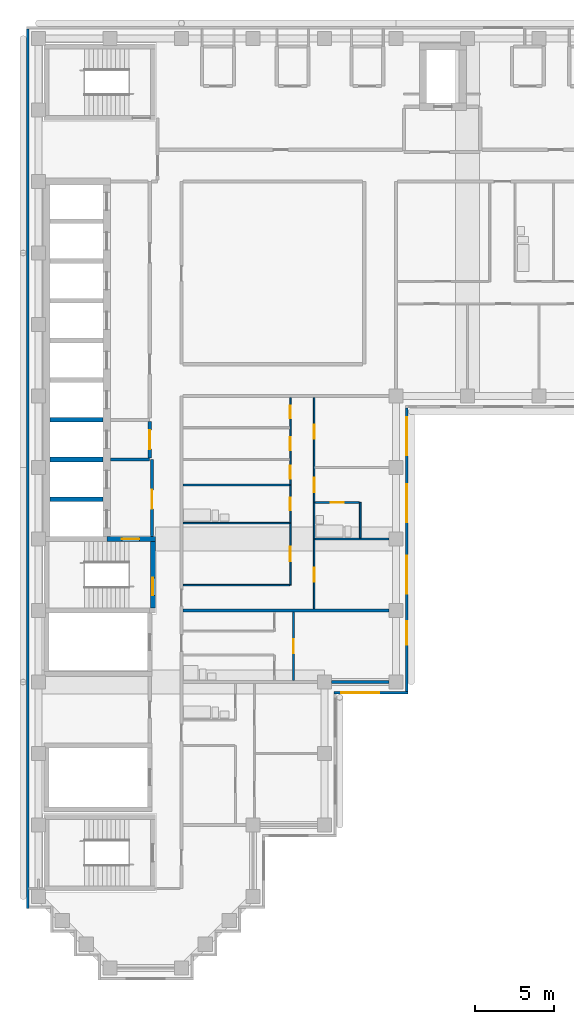
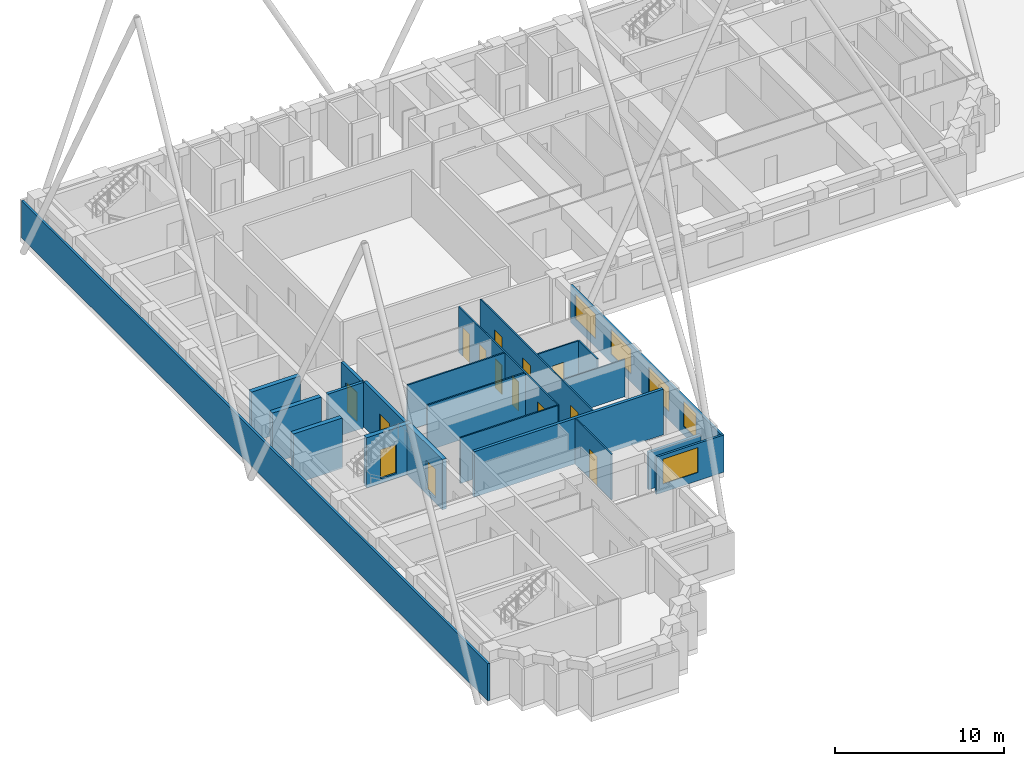
# One storey, part 4 of 11: 22 walls, 14 doors, 5 windows, 19 openings.
"""IFC4 building model written with IfcOpenShell, lengths in metres."""

import ifcopenshell
import ifcopenshell.guid

model = None  # the IFC model being written
_history = None  # IfcOwnerHistory: only IFC2X3 demands one
_inside = {}  # id of a spatial element -> (the spatial element, [elements in it])
_under = {}  # id of a project, library or spatial element -> (it, [spatial elements below it])
_declared = {}  # id of a project -> (the project, [libraries it declares])
_typed = {}  # id of a type object -> (the type object, [elements of that type])
_made_of = {}  # id of a material, layer set ... -> (it, [elements and type objects made of it])


def new_model(schema):
    """Start an empty IFC model of exactly this schema.

    Asked for "IFC4X3", IfcOpenShell would pick the latest addendum, in which some entities
    have other attributes; the version numbers below select the first issue.
    IFC2X3 requires an IfcOwnerHistory on every rooted entity: one is made here for all.
    """
    global model, _history
    if schema == "IFC4X3":
        model = ifcopenshell.file(schema_version=(4, 3, 0, 0))
    else:
        model = ifcopenshell.file(schema=schema)
    _inside.clear()
    _under.clear()
    _declared.clear()
    _typed.clear()
    _made_of.clear()
    _history = None
    if model.schema == "IFC2X3":
        org = make("IfcOrganization", Name="unknown")
        user = make(
            "IfcPersonAndOrganization",
            ThePerson=make("IfcPerson", FamilyName="unknown"),
            TheOrganization=org,
        )
        app = make(
            "IfcApplication",
            ApplicationDeveloper=org,
            Version="unknown",
            ApplicationFullName="unknown",
            ApplicationIdentifier="unknown",
        )
        _history = make(
            "IfcOwnerHistory",
            OwningUser=user,
            OwningApplication=app,
            ChangeAction="ADDED",
            CreationDate=0,
        )
    return model


def make(cls, **values):
    """One entity of the class cls with the attributes given. An attribute that is None is left unset."""
    return model.create_entity(
        cls, **{name: value for name, value in values.items() if value is not None}
    )


def rooted(cls, **values):
    """An entity with a GlobalId (a new one), such as an element, a storey or a relation."""
    return make(cls, GlobalId=ifcopenshell.guid.new(), OwnerHistory=_history, **values)


def si_unit(unit_type, name, prefix=None):
    """IfcSIUnit, for example si_unit("LENGTHUNIT", "METRE", prefix="MILLI")."""
    return make("IfcSIUnit", UnitType=unit_type, Prefix=prefix, Name=name)


def assignment(units):
    """IfcUnitAssignment: the units of a project."""
    return None if units is None else make("IfcUnitAssignment", Units=units)


def point(xyz):
    """IfcCartesianPoint."""
    return None if xyz is None else make("IfcCartesianPoint", Coordinates=xyz)


def direction(xyz):
    """IfcDirection."""
    return None if xyz is None else make("IfcDirection", DirectionRatios=xyz)


def frame(location, z_axis=None, x_axis=None):
    """IfcAxis2Placement3D, a coordinate frame: its origin and axes. An axis left out is left unset."""
    return make(
        "IfcAxis2Placement3D",
        Location=point(location),
        Axis=direction(z_axis),
        RefDirection=direction(x_axis),
    )


def frame_2d(location, x_axis=None):
    """IfcAxis2Placement2D, a coordinate frame in the plane: its origin and x axis."""
    return make(
        "IfcAxis2Placement2D", Location=point(location), RefDirection=direction(x_axis)
    )


def origin():
    """The frame at (0, 0, 0) with its axes left unset."""
    return frame((0.0, 0.0, 0.0))


def place(relative_to, where):
    """IfcLocalPlacement: puts the frame where relative to a parent placement (None: the world)."""
    return make(
        "IfcLocalPlacement", PlacementRelTo=relative_to, RelativePlacement=where
    )


def context(
    kind, dimensions, precision=None, world=None, true_north=None, identifier=None
):
    """IfcGeometricRepresentationContext, for example the 3D "Model" context."""
    return make(
        "IfcGeometricRepresentationContext",
        ContextIdentifier=identifier,
        ContextType=kind,
        CoordinateSpaceDimension=dimensions,
        Precision=precision,
        WorldCoordinateSystem=world,
        TrueNorth=true_north,
    )


def subcontext(parent, identifier, kind, view, scale=None):
    """IfcGeometricRepresentationSubContext, for example "Body" below "Model"."""
    return make(
        "IfcGeometricRepresentationSubContext",
        ContextIdentifier=identifier,
        ContextType=kind,
        ParentContext=parent,
        TargetScale=scale,
        TargetView=view,
    )


def project(units=None, contexts=None):
    """IfcProject with its units and contexts."""
    return rooted(
        "IfcProject",
        Name="project",
        RepresentationContexts=contexts,
        UnitsInContext=assignment(units),
    )


def spatial(cls, under=None, at=None, **own):
    """A site, building, storey or space (cls), placed at a placement, below another one or the project."""
    s = rooted(cls, ObjectPlacement=at, **own)
    if under is not None:
        _under.setdefault(under.id(), (under, []))[1].append(s)
    return s


def profile(cls, at=None, kind="AREA", **sizes):
    """A parametric profile (cls). Its sizes go by their IFC names, for example OverallWidth=200.0."""
    return make(cls, ProfileType=kind, Position=at, **sizes)


def rectangle(**sizes):
    """IfcRectangleProfileDef."""
    return profile("IfcRectangleProfileDef", **sizes)


def extrude(swept, where, along, depth):
    """IfcExtrudedAreaSolid: the profile swept, set in the frame where, extruded along a direction by depth."""
    return make(
        "IfcExtrudedAreaSolid",
        SweptArea=swept,
        Position=where,
        ExtrudedDirection=direction(along),
        Depth=depth,
    )


def shape(context_of_items, identifier, shape_type, items):
    """IfcShapeRepresentation: the items that make up one representation, for example the "Body"."""
    return make(
        "IfcShapeRepresentation",
        ContextOfItems=context_of_items,
        RepresentationIdentifier=identifier,
        RepresentationType=shape_type,
        Items=items,
    )


def material(Name=None, Category=None):
    """IfcMaterial."""
    return make("IfcMaterial", Name=Name, Category=Category)


def layer(
    of_material, thickness, ventilated=None, Name=None, Category=None, Priority=None
):
    """IfcMaterialLayer: one layer of a wall or slab, of a material (None: an air gap)."""
    return make(
        "IfcMaterialLayer",
        Material=of_material,
        LayerThickness=thickness,
        IsVentilated=ventilated,
        Name=Name,
        Category=Category,
        Priority=Priority,
    )


def layer_set(layers, Name=None):
    """IfcMaterialLayerSet."""
    return make("IfcMaterialLayerSet", MaterialLayers=layers, LayerSetName=Name)


def made_of(thing, what):
    """Note that an element or type object is made of a material, layer set ...; save() writes the relation."""
    if what is not None:
        _made_of.setdefault(what.id(), (what, []))[1].append(thing)
    return thing


def type_object(cls, material=None, **own):
    """A type object (cls), such as IfcWallType, which elements share."""
    return made_of(rooted(cls, **own), material)


def element(
    cls,
    number,
    at=None,
    inside=None,
    cuts=None,
    type_object=None,
    material=None,
    context=None,
    identifier="Body",
    shape_type=None,
    held_by="IfcProductDefinitionShape",
    body=None,
    shapes=None,
    **own,
):
    """One element of the class cls, such as IfcWall. Its Tag is "e" and its number.

    at: its placement. inside: the storey or other place that contains it. cuts: it is an
    opening in that element (IfcRelVoidsElement). A single representation is given by context,
    identifier, shape_type and body (its items); several are given by shapes. held_by: the class
    of the entity that holds the representations. save() writes the other relations.
    """
    e = rooted(cls, Tag="e%d" % number, ObjectPlacement=at, **own)
    if body is not None:
        shapes = [shape(context, identifier, shape_type, body)]
    if shapes is not None:
        e.Representation = make(held_by, Representations=shapes)
    if inside is not None:
        _inside.setdefault(inside.id(), (inside, []))[1].append(e)
    if cuts is not None:
        rooted(
            "IfcRelVoidsElement", RelatingBuildingElement=cuts, RelatedOpeningElement=e
        )
    if type_object is not None:
        _typed.setdefault(type_object.id(), (type_object, []))[1].append(e)
    return made_of(e, material)


def fill(opening, filler):
    """IfcRelFillsElement: the door or window that sits in an opening."""
    return rooted(
        "IfcRelFillsElement",
        RelatingOpeningElement=opening,
        RelatedBuildingElement=filler,
    )


def aggregate(whole, parts):
    """IfcRelAggregates: a whole, such as a stair, and the parts it consists of."""
    return rooted("IfcRelAggregates", RelatingObject=whole, RelatedObjects=parts)


def save(model, path):
    """Write the relations noted so far, then the file.

    IfcRelAggregates (storeys below a building ...), IfcRelContainedInSpatialStructure (elements
    in a storey), IfcRelDefinesByType, IfcRelAssociatesMaterial and IfcRelDeclares: one each for
    every whole, place, type object, material and project.
    """
    for whole, parts in _under.values():
        aggregate(whole, parts)
    for where, things in _inside.values():
        rooted(
            "IfcRelContainedInSpatialStructure",
            RelatedElements=things,
            RelatingStructure=where,
        )
    for kind, things in _typed.values():
        rooted("IfcRelDefinesByType", RelatedObjects=things, RelatingType=kind)
    for what, things in _made_of.values():
        rooted("IfcRelAssociatesMaterial", RelatedObjects=things, RelatingMaterial=what)
    for by, libraries in _declared.values():
        rooted("IfcRelDeclares", RelatingContext=by, RelatedDefinitions=libraries)
    model.write(path)


model = new_model("IFC4")

# Units and contexts
model_context = context("Model", 3, precision=1e-05, world=origin(), true_north=direction((0.0, 1.0)))
body_context = subcontext(model_context, "Body", "Model", "MODEL_VIEW")
ifc_project = project(units=[si_unit("LENGTHUNIT", "METRE"), si_unit("AREAUNIT", "SQUARE_METRE"), si_unit("VOLUMEUNIT", "CUBIC_METRE"), si_unit("PLANEANGLEUNIT", "RADIAN"), si_unit("MASSUNIT", "GRAM", prefix="KILO")], contexts=[model_context])

# Site, building, storey
site_placement = place(None, origin())
site = spatial("IfcSite", under=ifc_project, at=site_placement, CompositionType="ELEMENT")
building_placement = place(site_placement, origin())
building = spatial("IfcBuilding", under=site, at=building_placement, Name="Firuza Court", CompositionType="ELEMENT")
storey_placement = place(building_placement, frame((0.0, 0.0, 186.199951171875)))
storey = spatial("IfcBuildingStorey", under=building, at=storey_placement, Name="L47", CompositionType="ELEMENT", Elevation=186.199951171875)

# Walls
ifc_material_1 = material(Name="Moisture-resistant gypsum board partition")
ifc_layer_1 = layer(ifc_material_1, 0.10009765625)
ifc_layer_set_1 = layer_set([ifc_layer_1], Name="Moisture-resistant gypsum board partition")
wall_type_1 = type_object("IfcWallType", Name="Bathroom partition 100", PredefinedType="PLUMBINGWALL", material=ifc_layer_set_1)
wall_1_placement = place(storey_placement, frame((20.25, 27.050048828125, 0.0), z_axis=(0.0, 0.0, 1.0), x_axis=(0.0, 1.0, 0.0)))
element("IfcWall", 1, at=wall_1_placement, inside=storey, type_object=wall_type_1, Name="Bathroom partition 100 L47", PredefinedType="PLUMBINGWALL", context=body_context, shape_type="SweptSolid", body=[
    extrude(rectangle(XDim=2.25, YDim=0.10009765625, at=frame_2d((1.125, 0.0))), origin(), (0.0, 0.0, 1.0), 3.300048828125),
])
wall_2_placement = place(storey_placement, frame((9.10009765625, 28.0, 0.0), z_axis=(0.0, 0.0, 1.0), x_axis=(1.0, 0.0, 0.0)))
element("IfcWall", 2, at=wall_2_placement, inside=storey, type_object=wall_type_1, Name="Bathroom partition 100 L47", PredefinedType="PLUMBINGWALL", context=body_context, shape_type="SweptSolid", body=[
    extrude(rectangle(XDim=6.699951171875, YDim=0.10009765625, at=frame_2d((3.35009765625, 0.0))), origin(), (0.0, 0.0, 1.0), 3.300048828125),
])

# Wall, opening, door
wall_3_placement = place(storey_placement, frame((17.39990234375, 29.300048828125, 0.0), z_axis=(0.0, 0.0, 1.0), x_axis=(1.0, 0.0, 0.0)))
wall_3 = element("IfcWall", 3, at=wall_3_placement, inside=storey, type_object=wall_type_1, Name="Bathroom partition 100 L47", PredefinedType="PLUMBINGWALL", context=body_context, shape_type="SweptSolid", body=[
    extrude(rectangle(XDim=2.800048828125, YDim=0.10009765625, at=frame_2d((1.39990234375, 0.0))), origin(), (0.0, 0.0, 1.0), 3.300048828125),
])
opening_1_placement = place(wall_3_placement, frame((1.0, 0.0, 0.0)))
opening_1 = element("IfcOpeningElement", 4, at=opening_1_placement, cuts=wall_3, Name="Opening D47036", PredefinedType="OPENING", context=body_context, shape_type="SweptSolid", body=[
    extrude(rectangle(XDim=0.800048828125, YDim=2.10009765625, at=frame_2d((0.39990234375, 1.050048828125))), frame((0.0, 0.06201171875, 0.0), z_axis=(0.0, -1.0, 0.0), x_axis=(1.0, 0.0, 0.0)), (0.0, 0.0, 1.0), 0.1240234375),
])
ifc_material_2 = material(Name="Timber door leaf in hardwood frame", Category="wood")
door_type_1 = type_object("IfcDoorType", Name="Bathroom door 800", OperationType="SINGLE_SWING_LEFT", PredefinedType="DOOR", material=ifc_material_2)
door_1_placement = place(opening_1_placement, frame((0.800048828125, 0.0, 0.0), z_axis=(0.0, 0.0, 1.0), x_axis=(-1.0, 0.0, 0.0)))
door_1 = element("IfcDoor", 5, at=door_1_placement, inside=storey, type_object=door_type_1, Name="En-suite door", OperationType="SINGLE_SWING_RIGHT", OverallHeight=2.10009765625, OverallWidth=0.800048828125, PredefinedType="DOOR", context=body_context, shape_type="SweptSolid", body=[
    extrude(rectangle(XDim=0.800048828125, YDim=2.10009765625, at=frame_2d((0.39990234375, 1.050048828125))), frame((0.0, 0.02490234375, 0.0), z_axis=(0.0, -1.0, 0.0), x_axis=(1.0, 0.0, 0.0)), (0.0, 0.0, 1.0), 0.050048828125),
])
fill(opening_1, door_1)

# Walls
wall_4_placement = place(storey_placement, frame((9.10009765625, 30.39990234375, 0.0), z_axis=(0.0, 0.0, 1.0), x_axis=(1.0, 0.0, 0.0)))
element("IfcWall", 6, at=wall_4_placement, inside=storey, type_object=wall_type_1, Name="Bathroom partition 100 L47", PredefinedType="PLUMBINGWALL", context=body_context, shape_type="SweptSolid", body=[
    extrude(rectangle(XDim=6.699951171875, YDim=0.10009765625, at=frame_2d((3.35009765625, 0.0))), origin(), (0.0, 0.0, 1.0), 3.300048828125),
])
ifc_material_3 = material(Name="Concrete C50/60", Category="concrete")
ifc_layer_2 = layer(ifc_material_3, 0.300048828125)
ifc_layer_set_2 = layer_set([ifc_layer_2], Name="Concrete C50/60")
wall_type_2 = type_object("IfcWallType", Name="Core wall 300 C50/60", PredefinedType="SHEAR", material=ifc_layer_set_2)
for number, where, z_axis, x_axis, name in (
    (7, (0.72509765625, 29.5, -0.349853515625), (0.0, 0.0, 1.0), (1.0, 0.0, 0.0), "Core wall lift shaft L47"),
    (8, (0.72509765625, 32.0, -0.349853515625), (0.0, 0.0, 1.0), (1.0, 0.0, 0.0), "Core wall lift shaft L47"),
    (9, (0.72509765625, 34.5, -0.349853515625), (0.0, 0.0, 1.0), (1.0, 0.0, 0.0), "Core wall lift shaft L47"),
):
    element("IfcWall", number, at=place(storey_placement, frame(where, z_axis=z_axis, x_axis=x_axis)), inside=storey, type_object=wall_type_2, Name=name, PredefinedType="SHEAR", context=body_context, shape_type="SweptSolid", body=[
        extrude(rectangle(XDim=3.349853515625, YDim=0.300048828125, at=frame_2d((1.6748046875, 0.0))), origin(), (0.0, 0.0, 1.0), 3.64990234375),
    ])

# Wall, opening, door
wall_5_placement = place(storey_placement, frame((4.300048828125, 27.0, -0.349853515625), z_axis=(0.0, 0.0, 1.0), x_axis=(1.0, 0.0, 0.0)))
wall_5 = element("IfcWall", 10, at=wall_5_placement, inside=storey, type_object=wall_type_2, Name="Core wall stair L47", PredefinedType="SHEAR", context=body_context, shape_type="SweptSolid", body=[
    extrude(rectangle(XDim=3.050048828125, YDim=0.300048828125, at=frame_2d((1.52490234375, 0.0))), origin(), (0.0, 0.0, 1.0), 3.64990234375),
])
opening_2_placement = place(wall_5_placement, frame((0.949951171875, 0.0, 0.35009765625)))
opening_2 = element("IfcOpeningElement", 11, at=opening_2_placement, cuts=wall_5, Name="Opening D47012", PredefinedType="OPENING", context=body_context, shape_type="SweptSolid", body=[
    extrude(rectangle(XDim=1.10009765625, YDim=2.10009765625, at=frame_2d((0.550048828125, 1.050048828125))), frame((0.0, 0.162109375, 0.0), z_axis=(0.0, -1.0, 0.0), x_axis=(1.0, 0.0, 0.0)), (0.0, 0.0, 1.0), 0.323974609375),
])
ifc_material_4 = material(Name="Timber door leaf in hardwood frame", Category="wood")
door_type_2 = type_object("IfcDoorType", Name="Stair door 1100", OperationType="SINGLE_SWING_LEFT", PredefinedType="DOOR", material=ifc_material_4)
door_2_placement = place(opening_2_placement, frame((1.10009765625, 0.0, 0.0), z_axis=(0.0, 0.0, 1.0), x_axis=(-1.0, 0.0, 0.0)))
door_2 = element("IfcDoor", 12, at=door_2_placement, inside=storey, type_object=door_type_2, Name="Fire-fighting lobby door", OperationType="SINGLE_SWING_LEFT", OverallHeight=2.10009765625, OverallWidth=1.10009765625, PredefinedType="DOOR", context=body_context, shape_type="SweptSolid", body=[
    extrude(rectangle(XDim=1.10009765625, YDim=2.10009765625, at=frame_2d((0.550048828125, 1.050048828125))), frame((0.0, 0.02490234375, 0.0), z_axis=(0.0, -1.0, 0.0), x_axis=(1.0, 0.0, 0.0)), (0.0, 0.0, 1.0), 0.050048828125),
])
fill(opening_2, door_2)

wall_6_placement = place(storey_placement, frame((7.199951171875, 22.64990234375, -0.349853515625), z_axis=(0.0, 0.0, 1.0), x_axis=(0.0, 1.0, 0.0)))
wall_6 = element("IfcWall", 13, at=wall_6_placement, inside=storey, type_object=wall_type_2, Name="Core wall stair L47", PredefinedType="SHEAR", context=body_context, shape_type="SweptSolid", body=[
    extrude(rectangle(XDim=4.2001953125, YDim=0.300048828125, at=frame_2d((2.10009765625, 0.0))), origin(), (0.0, 0.0, 1.0), 3.64990234375),
])
opening_3_placement = place(wall_6_placement, frame((0.800048828125, 0.0, 0.35009765625)))
opening_3 = element("IfcOpeningElement", 14, at=opening_3_placement, cuts=wall_6, Name="Opening D47013", PredefinedType="OPENING", context=body_context, shape_type="SweptSolid", body=[
    extrude(rectangle(XDim=1.10009765625, YDim=2.10009765625, at=frame_2d((0.550048828125, 1.050048828125))), frame((0.0, 0.162109375, 0.0), z_axis=(0.0, -1.0, 0.0), x_axis=(1.0, 0.0, 0.0)), (0.0, 0.0, 1.0), 0.323974609375),
])
door_3_placement = place(opening_3_placement, origin())
door_3 = element("IfcDoor", 15, at=door_3_placement, inside=storey, type_object=door_type_2, Name="Stair door S2", OperationType="SINGLE_SWING_LEFT", OverallHeight=2.10009765625, OverallWidth=1.10009765625, PredefinedType="DOOR", context=body_context, shape_type="SweptSolid", body=[
    extrude(rectangle(XDim=1.10009765625, YDim=2.10009765625, at=frame_2d((0.550048828125, 1.050048828125))), frame((0.0, 0.02490234375, 0.0), z_axis=(0.0, -1.0, 0.0), x_axis=(1.0, 0.0, 0.0)), (0.0, 0.0, 1.0), 0.050048828125),
])
fill(opening_3, door_3)

ifc_material_5 = material(Name="Timber stud partition, plasterboard both sides", Category="wood")
ifc_layer_3 = layer(ifc_material_5, 0.10009765625)
ifc_layer_set_3 = layer_set([ifc_layer_3], Name="Timber stud partition, plasterboard both sides")
wall_type_3 = type_object("IfcWallType", Name="Partition wall 100", PredefinedType="PARTITIONING", material=ifc_layer_set_3)
wall_7_placement = place(storey_placement, frame((16.050048828125, 18.10009765625, 0.0), z_axis=(0.0, 0.0, 1.0), x_axis=(0.0, 1.0, 0.0)))
wall_7 = element("IfcWall", 16, at=wall_7_placement, inside=storey, type_object=wall_type_3, Name="Partition wall 100 L47", PredefinedType="PARTITIONING", context=body_context, shape_type="SweptSolid", body=[
    extrude(rectangle(XDim=4.2998046875, YDim=0.10009765625, at=frame_2d((2.14990234375, 0.0))), origin(), (0.0, 0.0, 1.0), 3.300048828125),
])
opening_4_placement = place(wall_7_placement, frame((1.699951171875, 0.0, 0.0)))
opening_4 = element("IfcOpeningElement", 17, at=opening_4_placement, cuts=wall_7, Name="Opening D47026", PredefinedType="OPENING", context=body_context, shape_type="SweptSolid", body=[
    extrude(rectangle(XDim=0.89990234375, YDim=2.10009765625, at=frame_2d((0.449951171875, 1.050048828125))), frame((0.0, 0.06201171875, 0.0), z_axis=(0.0, -1.0, 0.0), x_axis=(1.0, 0.0, 0.0)), (0.0, 0.0, 1.0), 0.1240234375),
])
ifc_material_6 = material(Name="Timber door leaf in hardwood frame", Category="wood")
door_type_3 = type_object("IfcDoorType", Name="Room door 900", OperationType="SINGLE_SWING_LEFT", PredefinedType="DOOR", material=ifc_material_6)
door_4_placement = place(opening_4_placement, frame((0.89990234375, 0.0, 0.0), z_axis=(0.0, 0.0, 1.0), x_axis=(-1.0, 0.0, 0.0)))
door_4 = element("IfcDoor", 18, at=door_4_placement, inside=storey, type_object=door_type_3, Name="Studio room door", OperationType="SINGLE_SWING_RIGHT", OverallHeight=2.10009765625, OverallWidth=0.89990234375, PredefinedType="DOOR", context=body_context, shape_type="SweptSolid", body=[
    extrude(rectangle(XDim=0.89990234375, YDim=2.10009765625, at=frame_2d((0.449951171875, 1.050048828125))), frame((0.0, 0.02490234375, 0.0), z_axis=(0.0, -1.0, 0.0), x_axis=(1.0, 0.0, 0.0)), (0.0, 0.0, 1.0), 0.050048828125),
])
fill(opening_4, door_4)

# Wall, openings, doors
wall_8_placement = place(storey_placement, frame((17.35009765625, 22.60009765625, 0.0), z_axis=(0.0, 0.0, 1.0), x_axis=(0.0, 1.0, 0.0)))
wall_8 = element("IfcWall", 19, at=wall_8_placement, inside=storey, type_object=wall_type_3, Name="Partition wall 100 L47", PredefinedType="PARTITIONING", context=body_context, shape_type="SweptSolid", body=[
    extrude(rectangle(XDim=13.2998046875, YDim=0.10009765625, at=frame_2d((6.64990234375, 0.0))), origin(), (0.0, 0.0, 1.0), 3.300048828125),
])
opening_5_placement = place(wall_8_placement, frame((1.699951171875, 0.0, 0.0)))
opening_5 = element("IfcOpeningElement", 20, at=opening_5_placement, cuts=wall_8, Name="Opening D47028", PredefinedType="OPENING", context=body_context, shape_type="SweptSolid", body=[
    extrude(rectangle(XDim=0.89990234375, YDim=2.10009765625, at=frame_2d((0.449951171875, 1.050048828125))), frame((0.0, 0.06201171875, 0.0), z_axis=(0.0, -1.0, 0.0), x_axis=(1.0, 0.0, 0.0)), (0.0, 0.0, 1.0), 0.1240234375),
])
opening_6_placement = place(wall_8_placement, frame((7.35009765625, 0.0, 0.0)))
opening_6 = element("IfcOpeningElement", 21, at=opening_6_placement, cuts=wall_8, Name="Opening D47029", PredefinedType="OPENING", context=body_context, shape_type="SweptSolid", body=[
    extrude(rectangle(XDim=0.89990234375, YDim=2.10009765625, at=frame_2d((0.449951171875, 1.050048828125))), frame((0.0, 0.06201171875, 0.0), z_axis=(0.0, -1.0, 0.0), x_axis=(1.0, 0.0, 0.0)), (0.0, 0.0, 1.0), 0.1240234375),
])
opening_7_placement = place(wall_8_placement, frame((10.699951171875, 0.0, 0.0)))
opening_7 = element("IfcOpeningElement", 22, at=opening_7_placement, cuts=wall_8, Name="Opening D47030", PredefinedType="OPENING", context=body_context, shape_type="SweptSolid", body=[
    extrude(rectangle(XDim=0.89990234375, YDim=2.10009765625, at=frame_2d((0.449951171875, 1.050048828125))), frame((0.0, 0.06201171875, 0.0), z_axis=(0.0, -1.0, 0.0), x_axis=(1.0, 0.0, 0.0)), (0.0, 0.0, 1.0), 0.1240234375),
])
door_5_placement = place(opening_5_placement, frame((0.89990234375, 0.0, 0.0), z_axis=(0.0, 0.0, 1.0), x_axis=(-1.0, 0.0, 0.0)))
door_5 = element("IfcDoor", 23, at=door_5_placement, inside=storey, type_object=door_type_3, Name="Living room door", OperationType="SINGLE_SWING_RIGHT", OverallHeight=2.10009765625, OverallWidth=0.89990234375, PredefinedType="DOOR", context=body_context, shape_type="SweptSolid", body=[
    extrude(rectangle(XDim=0.89990234375, YDim=2.10009765625, at=frame_2d((0.449951171875, 1.050048828125))), frame((0.0, 0.02490234375, 0.0), z_axis=(0.0, -1.0, 0.0), x_axis=(1.0, 0.0, 0.0)), (0.0, 0.0, 1.0), 0.050048828125),
])
fill(opening_5, door_5)
door_6_placement = place(opening_6_placement, frame((0.89990234375, 0.0, 0.0), z_axis=(0.0, 0.0, 1.0), x_axis=(-1.0, 0.0, 0.0)))
door_6 = element("IfcDoor", 24, at=door_6_placement, inside=storey, type_object=door_type_3, Name="Bedroom door", OperationType="SINGLE_SWING_RIGHT", OverallHeight=2.10009765625, OverallWidth=0.89990234375, PredefinedType="DOOR", context=body_context, shape_type="SweptSolid", body=[
    extrude(rectangle(XDim=0.89990234375, YDim=2.10009765625, at=frame_2d((0.449951171875, 1.050048828125))), frame((0.0, 0.02490234375, 0.0), z_axis=(0.0, -1.0, 0.0), x_axis=(1.0, 0.0, 0.0)), (0.0, 0.0, 1.0), 0.050048828125),
])
fill(opening_6, door_6)
door_7_placement = place(opening_7_placement, frame((0.89990234375, 0.0, 0.0), z_axis=(0.0, 0.0, 1.0), x_axis=(-1.0, 0.0, 0.0)))
door_7 = element("IfcDoor", 25, at=door_7_placement, inside=storey, type_object=door_type_3, Name="Bedroom door", OperationType="SINGLE_SWING_RIGHT", OverallHeight=2.10009765625, OverallWidth=0.89990234375, PredefinedType="DOOR", context=body_context, shape_type="SweptSolid", body=[
    extrude(rectangle(XDim=0.89990234375, YDim=2.10009765625, at=frame_2d((0.449951171875, 1.050048828125))), frame((0.0, 0.02490234375, 0.0), z_axis=(0.0, -1.0, 0.0), x_axis=(1.0, 0.0, 0.0)), (0.0, 0.0, 1.0), 0.050048828125),
])
fill(opening_7, door_7)

# Wall
wall_9_placement = place(storey_placement, frame((9.10009765625, 24.10009765625, 0.0), z_axis=(0.0, 0.0, 1.0), x_axis=(1.0, 0.0, 0.0)))
element("IfcWall", 26, at=wall_9_placement, inside=storey, type_object=wall_type_3, Name="Partition wall 100 L47", PredefinedType="PARTITIONING", context=body_context, shape_type="SweptSolid", body=[
    extrude(rectangle(XDim=6.699951171875, YDim=0.10009765625, at=frame_2d((3.35009765625, 0.0))), origin(), (0.0, 0.0, 1.0), 3.300048828125),
])

# Wall, openings, doors
wall_10_placement = place(storey_placement, frame((15.85009765625, 24.10009765625, 0.0), z_axis=(0.0, 0.0, 1.0), x_axis=(0.0, 1.0, 0.0)))
wall_10 = element("IfcWall", 27, at=wall_10_placement, inside=storey, type_object=wall_type_3, Name="Partition wall 100 L47", PredefinedType="PARTITIONING", context=body_context, shape_type="SweptSolid", body=[
    extrude(rectangle(XDim=11.7998046875, YDim=0.10009765625, at=frame_2d((5.89990234375, 0.0))), origin(), (0.0, 0.0, 1.0), 3.300048828125),
])
opening_8_placement = place(wall_10_placement, frame((4.699951171875, 0.0, 0.0)))
opening_8 = element("IfcOpeningElement", 28, at=opening_8_placement, cuts=wall_10, Name="Opening D47031", PredefinedType="OPENING", context=body_context, shape_type="SweptSolid", body=[
    extrude(rectangle(XDim=0.800048828125, YDim=2.10009765625, at=frame_2d((0.39990234375, 1.050048828125))), frame((0.0, 0.06201171875, 0.0), z_axis=(0.0, -1.0, 0.0), x_axis=(1.0, 0.0, 0.0)), (0.0, 0.0, 1.0), 0.1240234375),
])
opening_9_placement = place(wall_10_placement, frame((1.5, 0.0, 0.0)))
opening_9 = element("IfcOpeningElement", 29, at=opening_9_placement, cuts=wall_10, Name="Opening D47032", PredefinedType="OPENING", context=body_context, shape_type="SweptSolid", body=[
    extrude(rectangle(XDim=0.89990234375, YDim=2.10009765625, at=frame_2d((0.449951171875, 1.050048828125))), frame((0.0, 0.06201171875, 0.0), z_axis=(0.0, -1.0, 0.0), x_axis=(1.0, 0.0, 0.0)), (0.0, 0.0, 1.0), 0.1240234375),
])
opening_10_placement = place(wall_10_placement, frame((10.5, 0.0, 0.0)))
opening_10 = element("IfcOpeningElement", 30, at=opening_10_placement, cuts=wall_10, Name="Opening D47033", PredefinedType="OPENING", context=body_context, shape_type="SweptSolid", body=[
    extrude(rectangle(XDim=0.800048828125, YDim=2.10009765625, at=frame_2d((0.39990234375, 1.050048828125))), frame((0.0, 0.06201171875, 0.0), z_axis=(0.0, -1.0, 0.0), x_axis=(1.0, 0.0, 0.0)), (0.0, 0.0, 1.0), 0.1240234375),
])
opening_11_placement = place(wall_10_placement, frame((6.699951171875, 0.0, 0.0)))
opening_11 = element("IfcOpeningElement", 31, at=opening_11_placement, cuts=wall_10, Name="Opening D47034", PredefinedType="OPENING", context=body_context, shape_type="SweptSolid", body=[
    extrude(rectangle(XDim=0.800048828125, YDim=2.10009765625, at=frame_2d((0.39990234375, 1.050048828125))), frame((0.0, 0.06201171875, 0.0), z_axis=(0.0, -1.0, 0.0), x_axis=(1.0, 0.0, 0.0)), (0.0, 0.0, 1.0), 0.1240234375),
])
opening_12_placement = place(wall_10_placement, frame((8.5, 0.0, 0.0)))
opening_12 = element("IfcOpeningElement", 32, at=opening_12_placement, cuts=wall_10, Name="Opening D47035", PredefinedType="OPENING", context=body_context, shape_type="SweptSolid", body=[
    extrude(rectangle(XDim=0.800048828125, YDim=2.10009765625, at=frame_2d((0.39990234375, 1.050048828125))), frame((0.0, 0.06201171875, 0.0), z_axis=(0.0, -1.0, 0.0), x_axis=(1.0, 0.0, 0.0)), (0.0, 0.0, 1.0), 0.1240234375),
])
door_8_placement = place(opening_8_placement, origin())
door_8 = element("IfcDoor", 33, at=door_8_placement, inside=storey, type_object=door_type_1, Name="Bathroom door", OperationType="SINGLE_SWING_LEFT", OverallHeight=2.10009765625, OverallWidth=0.800048828125, PredefinedType="DOOR", context=body_context, shape_type="SweptSolid", body=[
    extrude(rectangle(XDim=0.800048828125, YDim=2.10009765625, at=frame_2d((0.39990234375, 1.050048828125))), frame((0.0, 0.02490234375, 0.0), z_axis=(0.0, -1.0, 0.0), x_axis=(1.0, 0.0, 0.0)), (0.0, 0.0, 1.0), 0.050048828125),
])
fill(opening_8, door_8)
ifc_material_7 = material(Name="Timber door leaf in hardwood frame", Category="wood")
door_type_4 = type_object("IfcDoorType", Name="Room door 800", OperationType="SINGLE_SWING_LEFT", PredefinedType="DOOR", material=ifc_material_7)
door_9_placement = place(opening_10_placement, origin())
door_9 = element("IfcDoor", 34, at=door_9_placement, inside=storey, type_object=door_type_4, Name="Pantry door", OperationType="SINGLE_SWING_LEFT", OverallHeight=2.10009765625, OverallWidth=0.800048828125, PredefinedType="DOOR", context=body_context, shape_type="SweptSolid", body=[
    extrude(rectangle(XDim=0.800048828125, YDim=2.10009765625, at=frame_2d((0.39990234375, 1.050048828125))), frame((0.0, 0.02490234375, 0.0), z_axis=(0.0, -1.0, 0.0), x_axis=(1.0, 0.0, 0.0)), (0.0, 0.0, 1.0), 0.050048828125),
])
fill(opening_10, door_9)
door_10_placement = place(opening_11_placement, origin())
door_10 = element("IfcDoor", 35, at=door_10_placement, inside=storey, type_object=door_type_4, Name="Store door", OperationType="SINGLE_SWING_LEFT", OverallHeight=2.10009765625, OverallWidth=0.800048828125, PredefinedType="DOOR", context=body_context, shape_type="SweptSolid", body=[
    extrude(rectangle(XDim=0.800048828125, YDim=2.10009765625, at=frame_2d((0.39990234375, 1.050048828125))), frame((0.0, 0.02490234375, 0.0), z_axis=(0.0, -1.0, 0.0), x_axis=(1.0, 0.0, 0.0)), (0.0, 0.0, 1.0), 0.050048828125),
])
fill(opening_11, door_10)
door_11_placement = place(opening_12_placement, origin())
door_11 = element("IfcDoor", 36, at=door_11_placement, inside=storey, type_object=door_type_4, Name="Utility room door", OperationType="SINGLE_SWING_LEFT", OverallHeight=2.10009765625, OverallWidth=0.800048828125, PredefinedType="DOOR", context=body_context, shape_type="SweptSolid", body=[
    extrude(rectangle(XDim=0.800048828125, YDim=2.10009765625, at=frame_2d((0.39990234375, 1.050048828125))), frame((0.0, 0.02490234375, 0.0), z_axis=(0.0, -1.0, 0.0), x_axis=(1.0, 0.0, 0.0)), (0.0, 0.0, 1.0), 0.050048828125),
])
fill(opening_12, door_11)
door_12_placement = place(opening_9_placement, origin())
door_12 = element("IfcDoor", 37, at=door_12_placement, inside=storey, type_object=door_type_3, Name="Kitchen door", OperationType="SINGLE_SWING_LEFT", OverallHeight=2.10009765625, OverallWidth=0.89990234375, PredefinedType="DOOR", context=body_context, shape_type="SweptSolid", body=[
    extrude(rectangle(XDim=0.89990234375, YDim=2.10009765625, at=frame_2d((0.449951171875, 1.050048828125))), frame((0.0, 0.02490234375, 0.0), z_axis=(0.0, -1.0, 0.0), x_axis=(1.0, 0.0, 0.0)), (0.0, 0.0, 1.0), 0.050048828125),
])
fill(opening_9, door_12)

# Walls
wall_11_placement = place(storey_placement, frame((17.39990234375, 27.0, 0.0), z_axis=(0.0, 0.0, 1.0), x_axis=(1.0, 0.0, 0.0)))
element("IfcWall", 38, at=wall_11_placement, inside=storey, type_object=wall_type_3, Name="Partition wall 100 L47", PredefinedType="PARTITIONING", context=body_context, shape_type="SweptSolid", body=[
    extrude(rectangle(XDim=4.650146484375, YDim=0.10009765625, at=frame_2d((2.3251953125, 0.0))), origin(), (0.0, 0.0, 1.0), 2.699951171875),
])
ifc_material_8 = material(Name="Blockwork, plastered both sides", Category="masonry")
ifc_layer_4 = layer(ifc_material_8, 0.199951171875)
ifc_layer_set_4 = layer_set([ifc_layer_4], Name="Blockwork, plastered both sides")
wall_type_4 = type_object("IfcWallType", Name="Party wall 200", PredefinedType="PARTITIONING", material=ifc_layer_set_4)
wall_12_placement = place(storey_placement, frame((18.449951171875, 18.0, 0.0), z_axis=(0.0, 0.0, 1.0), x_axis=(1.0, 0.0, 0.0)))
element("IfcWall", 39, at=wall_12_placement, inside=storey, type_object=wall_type_4, Name="Party wall 200 L47", PredefinedType="PARTITIONING", context=body_context, shape_type="SweptSolid", body=[
    extrude(rectangle(XDim=3.60009765625, YDim=0.199951171875, at=frame_2d((1.800048828125, 0.0))), origin(), (0.0, 0.0, 1.0), 2.699951171875),
])
wall_13_placement = place(storey_placement, frame((9.10009765625, 22.5, 0.0), z_axis=(0.0, 0.0, 1.0), x_axis=(1.0, 0.0, 0.0)))
element("IfcWall", 40, at=wall_13_placement, inside=storey, type_object=wall_type_4, Name="Party wall 200 L47", PredefinedType="PARTITIONING", context=body_context, shape_type="SweptSolid", body=[
    extrude(rectangle(XDim=12.949951171875, YDim=0.199951171875, at=frame_2d((6.47509765625, 0.0))), origin(), (0.0, 0.0, 1.0), 3.300048828125),
])

# Wall, opening, window
ifc_material_9 = material(Name="Ceramic tile", Category="ceramic")
ifc_layer_5 = layer(ifc_material_9, 0.02001953125)
ifc_material_10 = material(Name="Mineral wool insulation", Category="insulation")
ifc_layer_6 = layer(ifc_material_10, 0.050048828125)
ifc_material_11 = material(Name="Concrete C40/50 precast", Category="concrete")
ifc_layer_7 = layer(ifc_material_11, 0.080078125)
ifc_layer_set_5 = layer_set([ifc_layer_5, ifc_layer_6, ifc_layer_7], Name="Concrete C40/50 precast")
wall_type_5 = type_object("IfcWallType", Name="Precast cladding wall with turquoise TILE PANEL face 150", PredefinedType="STANDARD", material=ifc_layer_set_5)
wall_14_placement = place(storey_placement, frame((18.60009765625, 17.324951171875, 0.0), z_axis=(0.0, 0.0, 1.0), x_axis=(1.0, 0.0, 0.0)))
wall_14 = element("IfcWall", 41, at=wall_14_placement, inside=storey, type_object=wall_type_5, Name="Facade wall L47 S", PredefinedType="STANDARD", context=body_context, shape_type="SweptSolid", body=[
    extrude(rectangle(XDim=4.64990234375, YDim=0.14990234375, at=frame_2d((2.324951171875, 0.0))), origin(), (0.0, 0.0, 1.0), 2.699951171875),
])
opening_13_placement = place(wall_14_placement, frame((0.449951171875, 0.0, 0.60009765625)))
opening_13 = element("IfcOpeningElement", 42, at=opening_13_placement, cuts=wall_14, Name="Opening W1", PredefinedType="OPENING", context=body_context, shape_type="SweptSolid", body=[
    extrude(rectangle(XDim=2.39990234375, YDim=1.800048828125, at=frame_2d((1.199951171875, 0.89990234375))), frame((0.0, 0.0869140625, 0.0), z_axis=(0.0, -1.0, 0.0), x_axis=(1.0, 0.0, 0.0)), (0.0, 0.0, 1.0), 0.173828125),
])
ifc_material_12 = material(Name="Aluminium frame, triple clear glazing", Category="aluminium")
window_type_1 = type_object("IfcWindowType", Name="Window W1 2400 x 1800", PartitioningType="SINGLE_PANEL", PredefinedType="WINDOW", material=ifc_material_12)
window_1_placement = place(opening_13_placement, origin())
window_1 = element("IfcWindow", 43, at=window_1_placement, inside=storey, type_object=window_type_1, Name="Window L47", OverallHeight=1.800048828125, OverallWidth=2.39990234375, PartitioningType="SINGLE_PANEL", PredefinedType="WINDOW", context=body_context, shape_type="SweptSolid", body=[
    extrude(rectangle(XDim=2.39990234375, YDim=1.800048828125, at=frame_2d((1.199951171875, 0.89990234375))), frame((0.0, 0.030029296875, 0.0), z_axis=(0.0, -1.0, 0.0), x_axis=(1.0, 0.0, 0.0)), (0.0, 0.0, 1.0), 0.06005859375),
])
fill(opening_13, window_1)

# Wall, openings, windows
wall_15_placement = place(storey_placement, frame((23.175048828125, 17.39990234375, 0.0), z_axis=(0.0, 0.0, 1.0), x_axis=(0.0, 1.0, 0.0)))
wall_15 = element("IfcWall", 44, at=wall_15_placement, inside=storey, type_object=wall_type_5, Name="Facade wall L47 E", PredefinedType="STANDARD", context=body_context, shape_type="SweptSolid", body=[
    extrude(rectangle(XDim=17.85009765625, YDim=0.14990234375, at=frame_2d((8.925048828125, 0.0))), origin(), (0.0, 0.0, 1.0), 2.699951171875),
])
opening_14_placement = place(wall_15_placement, frame((2.93701171875, 0.0, 0.60009765625)))
opening_14 = element("IfcOpeningElement", 45, at=opening_14_placement, cuts=wall_15, Name="Opening W2", PredefinedType="OPENING", context=body_context, shape_type="SweptSolid", body=[
    extrude(rectangle(XDim=1.5, YDim=1.800048828125, at=frame_2d((0.75, 0.89990234375))), frame((0.0, 0.0869140625, 0.0), z_axis=(0.0, -1.0, 0.0), x_axis=(1.0, 0.0, 0.0)), (0.0, 0.0, 1.0), 0.173828125),
])
opening_15_placement = place(wall_15_placement, frame((6.14990234375, 0.0, 0.60009765625)))
opening_15 = element("IfcOpeningElement", 46, at=opening_15_placement, cuts=wall_15, Name="Opening W1", PredefinedType="OPENING", context=body_context, shape_type="SweptSolid", body=[
    extrude(rectangle(XDim=2.39990234375, YDim=1.800048828125, at=frame_2d((1.199951171875, 0.89990234375))), frame((0.0, 0.0869140625, 0.0), z_axis=(0.0, -1.0, 0.0), x_axis=(1.0, 0.0, 0.0)), (0.0, 0.0, 1.0), 0.173828125),
])
opening_16_placement = place(wall_15_placement, frame((10.64990234375, 0.0, 0.60009765625)))
opening_16 = element("IfcOpeningElement", 47, at=opening_16_placement, cuts=wall_15, Name="Opening W1", PredefinedType="OPENING", context=body_context, shape_type="SweptSolid", body=[
    extrude(rectangle(XDim=2.39990234375, YDim=1.800048828125, at=frame_2d((1.199951171875, 0.89990234375))), frame((0.0, 0.0869140625, 0.0), z_axis=(0.0, -1.0, 0.0), x_axis=(1.0, 0.0, 0.0)), (0.0, 0.0, 1.0), 0.173828125),
])
opening_17_placement = place(wall_15_placement, frame((14.869384765625, 0.0, 0.60009765625)))
opening_17 = element("IfcOpeningElement", 48, at=opening_17_placement, cuts=wall_15, Name="Opening W1", PredefinedType="OPENING", context=body_context, shape_type="SweptSolid", body=[
    extrude(rectangle(XDim=2.39990234375, YDim=1.800048828125, at=frame_2d((1.199951171875, 0.89990234375))), frame((0.0, 0.0869140625, 0.0), z_axis=(0.0, -1.0, 0.0), x_axis=(1.0, 0.0, 0.0)), (0.0, 0.0, 1.0), 0.173828125),
])
window_2_placement = place(opening_15_placement, origin())
window_2 = element("IfcWindow", 49, at=window_2_placement, inside=storey, type_object=window_type_1, Name="Window L47", OverallHeight=1.800048828125, OverallWidth=2.39990234375, PartitioningType="SINGLE_PANEL", PredefinedType="WINDOW", context=body_context, shape_type="SweptSolid", body=[
    extrude(rectangle(XDim=2.39990234375, YDim=1.800048828125, at=frame_2d((1.199951171875, 0.89990234375))), frame((0.0, 0.030029296875, 0.0), z_axis=(0.0, -1.0, 0.0), x_axis=(1.0, 0.0, 0.0)), (0.0, 0.0, 1.0), 0.06005859375),
])
fill(opening_15, window_2)
window_3_placement = place(opening_16_placement, origin())
window_3 = element("IfcWindow", 50, at=window_3_placement, inside=storey, type_object=window_type_1, Name="Window L47", OverallHeight=1.800048828125, OverallWidth=2.39990234375, PartitioningType="SINGLE_PANEL", PredefinedType="WINDOW", context=body_context, shape_type="SweptSolid", body=[
    extrude(rectangle(XDim=2.39990234375, YDim=1.800048828125, at=frame_2d((1.199951171875, 0.89990234375))), frame((0.0, 0.030029296875, 0.0), z_axis=(0.0, -1.0, 0.0), x_axis=(1.0, 0.0, 0.0)), (0.0, 0.0, 1.0), 0.06005859375),
])
fill(opening_16, window_3)
window_4_placement = place(opening_17_placement, origin())
window_4 = element("IfcWindow", 51, at=window_4_placement, inside=storey, type_object=window_type_1, Name="Window L47", OverallHeight=1.800048828125, OverallWidth=2.39990234375, PartitioningType="SINGLE_PANEL", PredefinedType="WINDOW", context=body_context, shape_type="SweptSolid", body=[
    extrude(rectangle(XDim=2.39990234375, YDim=1.800048828125, at=frame_2d((1.199951171875, 0.89990234375))), frame((0.0, 0.030029296875, 0.0), z_axis=(0.0, -1.0, 0.0), x_axis=(1.0, 0.0, 0.0)), (0.0, 0.0, 1.0), 0.06005859375),
])
fill(opening_17, window_4)
ifc_material_13 = material(Name="Aluminium frame, triple clear glazing", Category="aluminium")
window_type_2 = type_object("IfcWindowType", Name="Window W2 1500 x 1800", PartitioningType="SINGLE_PANEL", PredefinedType="WINDOW", material=ifc_material_13)
window_5_placement = place(opening_14_placement, origin())
window_5 = element("IfcWindow", 52, at=window_5_placement, inside=storey, type_object=window_type_2, Name="Window L47", OverallHeight=1.800048828125, OverallWidth=1.5, PartitioningType="SINGLE_PANEL", PredefinedType="WINDOW", context=body_context, shape_type="SweptSolid", body=[
    extrude(rectangle(XDim=1.5, YDim=1.800048828125, at=frame_2d((0.75, 0.89990234375))), frame((0.0, 0.030029296875, 0.0), z_axis=(0.0, -1.0, 0.0), x_axis=(1.0, 0.0, 0.0)), (0.0, 0.0, 1.0), 0.06005859375),
])
fill(opening_14, window_5)

# Walls
wall_16_placement = place(storey_placement, frame((-0.675048828125, 59.10009765625, 0.0), z_axis=(0.0, 0.0, 1.0), x_axis=(0.0, -1.0, 0.0)))
element("IfcWall", 53, at=wall_16_placement, inside=storey, type_object=wall_type_5, Name="Facade wall L47 W", PredefinedType="STANDARD", context=body_context, shape_type="SweptSolid", body=[
    extrude(rectangle(XDim=55.35009765625, YDim=0.14990234375, at=frame_2d((27.675048828125, 0.0))), origin(), (0.0, 0.0, 1.0), 2.699951171875),
])
ifc_material_14 = material(Name="Blockwork, fire-rated", Category="masonry")
ifc_layer_8 = layer(ifc_material_14, 0.199951171875)
ifc_layer_set_6 = layer_set([ifc_layer_8], Name="Blockwork, fire-rated")
wall_type_6 = type_object("IfcWallType", Name="Shaft wall 200", PredefinedType="PARTITIONING", material=ifc_layer_set_6)
wall_17_placement = place(storey_placement, frame((4.544921875, 32.0, 0.0), z_axis=(0.0, 0.0, 1.0), x_axis=(1.0, 0.0, 0.0)))
element("IfcWall", 54, at=wall_17_placement, inside=storey, type_object=wall_type_6, Name="Shaft wall 200 L47", PredefinedType="PARTITIONING", context=body_context, shape_type="SweptSolid", body=[
    extrude(rectangle(XDim=2.455078125, YDim=0.199951171875, at=frame_2d((1.2275390625, 0.0))), origin(), (0.0, 0.0, 1.0), 3.300048828125),
])

# Wall, opening, door
wall_18_placement = place(storey_placement, frame((7.0, 32.10009765625, 0.0), z_axis=(0.0, 0.0, 1.0), x_axis=(0.0, 1.0, 0.0)))
wall_18 = element("IfcWall", 55, at=wall_18_placement, inside=storey, type_object=wall_type_6, Name="Shaft wall 200 L47", PredefinedType="PARTITIONING", context=body_context, shape_type="SweptSolid", body=[
    extrude(rectangle(XDim=2.2998046875, YDim=0.199951171875, at=frame_2d((1.14990234375, 0.0))), origin(), (0.0, 0.0, 1.0), 3.300048828125),
])
opening_18_placement = place(wall_18_placement, frame((0.550048828125, 0.0, 0.0)))
opening_18 = element("IfcOpeningElement", 56, at=opening_18_placement, cuts=wall_18, Name="Opening D47007", PredefinedType="OPENING", context=body_context, shape_type="SweptSolid", body=[
    extrude(rectangle(XDim=1.199951171875, YDim=2.10009765625, at=frame_2d((0.60009765625, 1.050048828125))), frame((0.0, 0.11181640625, 0.0), z_axis=(0.0, -1.0, 0.0), x_axis=(1.0, 0.0, 0.0)), (0.0, 0.0, 1.0), 0.223876953125),
])
ifc_material_15 = material(Name="Timber door leaf in hardwood frame", Category="wood")
door_type_5 = type_object("IfcDoorType", Name="Lobby door 1200", OperationType="SINGLE_SWING_LEFT", PredefinedType="DOOR", material=ifc_material_15)
door_13_placement = place(opening_18_placement, origin())
door_13 = element("IfcDoor", 57, at=door_13_placement, inside=storey, type_object=door_type_5, Name="Lobby door", OperationType="SINGLE_SWING_LEFT", OverallHeight=2.10009765625, OverallWidth=1.199951171875, PredefinedType="DOOR", context=body_context, shape_type="SweptSolid", body=[
    extrude(rectangle(XDim=1.199951171875, YDim=2.10009765625, at=frame_2d((0.60009765625, 1.050048828125))), frame((0.0, 0.02490234375, 0.0), z_axis=(0.0, -1.0, 0.0), x_axis=(1.0, 0.0, 0.0)), (0.0, 0.0, 1.0), 0.050048828125),
])
fill(opening_18, door_13)

wall_19_placement = place(storey_placement, frame((7.14990234375, 27.169921875, 0.0), z_axis=(0.0, 0.0, 1.0), x_axis=(0.0, 1.0, 0.0)))
wall_19 = element("IfcWall", 58, at=wall_19_placement, inside=storey, type_object=wall_type_6, Name="Shaft wall 200 L47", PredefinedType="PARTITIONING", context=body_context, shape_type="SweptSolid", body=[
    extrude(rectangle(XDim=4.830078125, YDim=0.199951171875, at=frame_2d((2.4150390625, 0.0))), origin(), (0.0, 0.0, 1.0), 3.300048828125),
])
opening_19_placement = place(wall_19_placement, frame((1.72998046875, 0.0, 0.0)))
opening_19 = element("IfcOpeningElement", 59, at=opening_19_placement, cuts=wall_19, Name="Opening D47002", PredefinedType="OPENING", context=body_context, shape_type="SweptSolid", body=[
    extrude(rectangle(XDim=1.199951171875, YDim=2.10009765625, at=frame_2d((0.60009765625, 1.050048828125))), frame((0.0, 0.11181640625, 0.0), z_axis=(0.0, -1.0, 0.0), x_axis=(1.0, 0.0, 0.0)), (0.0, 0.0, 1.0), 0.223876953125),
])
door_14_placement = place(opening_19_placement, origin())
door_14 = element("IfcDoor", 60, at=door_14_placement, inside=storey, type_object=door_type_5, Name="Fire-fighting lobby door", OperationType="SINGLE_SWING_LEFT", OverallHeight=2.10009765625, OverallWidth=1.199951171875, PredefinedType="DOOR", context=body_context, shape_type="SweptSolid", body=[
    extrude(rectangle(XDim=1.199951171875, YDim=2.10009765625, at=frame_2d((0.60009765625, 1.050048828125))), frame((0.0, 0.02490234375, 0.0), z_axis=(0.0, -1.0, 0.0), x_axis=(1.0, 0.0, 0.0)), (0.0, 0.0, 1.0), 0.050048828125),
])
fill(opening_19, door_14)

save(model, "model.ifc")
